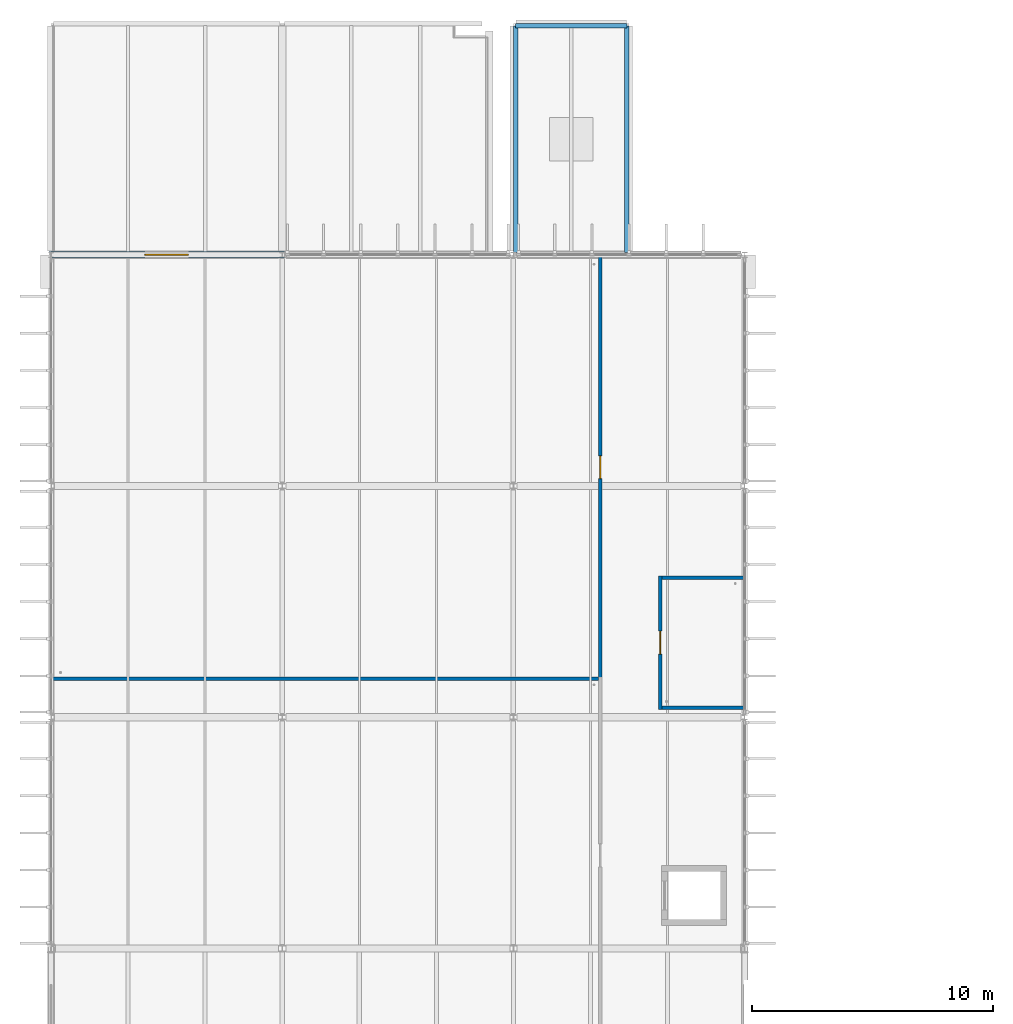
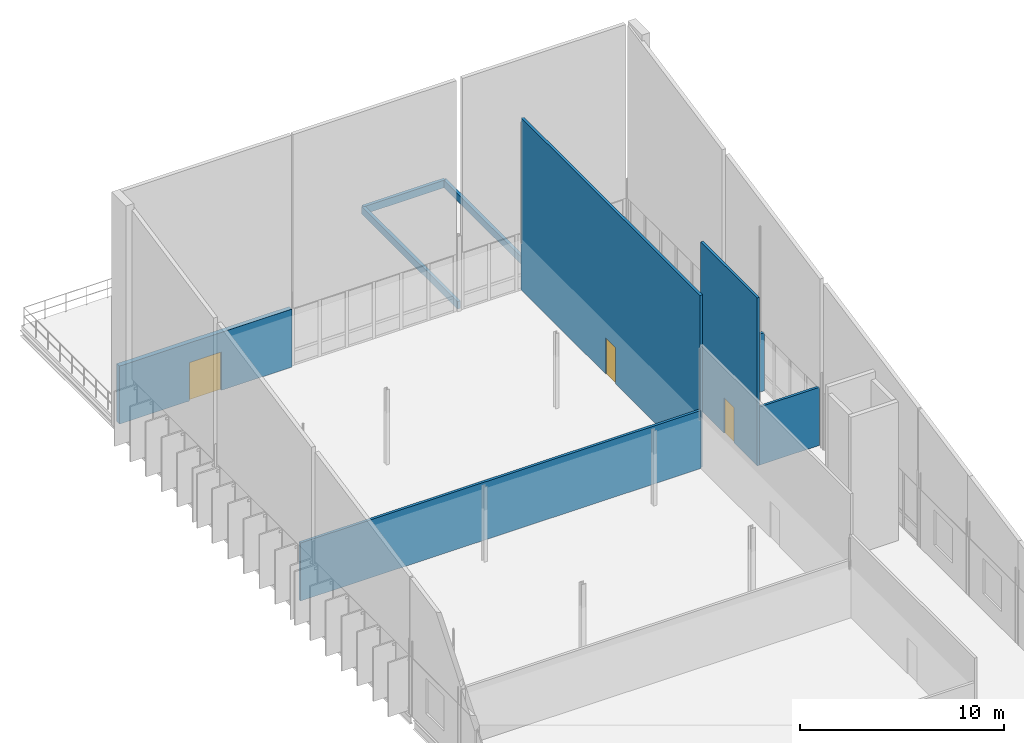
# One storey, part 55 of 93: 9 walls, 3 doors, 3 openings.
"""IFC4 building model written with IfcOpenShell, lengths in metres."""

from ifc_helpers import new_model, si_unit, direction, frame, frame_2d, origin, place, context, subcontext, project, spatial, rectangle, extrude, material, layer, layer_set, type_object, element, fill, save


model = new_model("IFC4")

# Units and contexts
model_context = context("Model", 3, precision=1e-05, world=origin(), true_north=direction((0.0, 1.0)))
body_context = subcontext(model_context, "Body", "Model", "MODEL_VIEW")
ifc_project = project(units=[si_unit("LENGTHUNIT", "METRE"), si_unit("AREAUNIT", "SQUARE_METRE"), si_unit("VOLUMEUNIT", "CUBIC_METRE"), si_unit("PLANEANGLEUNIT", "RADIAN"), si_unit("MASSUNIT", "GRAM", prefix="KILO")], contexts=[model_context])

# Site, building, storey
site_placement = place(None, origin())
site = spatial("IfcSite", under=ifc_project, at=site_placement, CompositionType="ELEMENT")
building_placement = place(site_placement, origin())
building = spatial("IfcBuilding", under=site, at=building_placement, Name="Dunescarp Central Library", CompositionType="ELEMENT")
storey_placement = place(building_placement, frame((0.0, 0.0, 14.10009765625)))
storey = spatial("IfcBuildingStorey", under=building, at=storey_placement, Name="L03", CompositionType="ELEMENT", Elevation=14.10009765625)

# Wall
ifc_material_1 = material(Name="Gypsum plasterboard acoustic partition")
ifc_layer_1 = layer(ifc_material_1, 0.14990234375)
ifc_layer_set_1 = layer_set([ifc_layer_1], Name="Gypsum plasterboard acoustic partition")
wall_type_1 = type_object("IfcWallType", Name="ARC-PT-AC150", PredefinedType="PARTITIONING", material=ifc_layer_set_1)
wall_1_placement = place(storey_placement, frame((0.0400390625, 72.0, 0.0), z_axis=(0.0, 0.0, 1.0), x_axis=(1.0, 0.0, 0.0)))
element("IfcWall", 1, at=wall_1_placement, inside=storey, type_object=wall_type_1, Name="L03 partition PT-L03-0375", PredefinedType="PARTITIONING", context=body_context, shape_type="SweptSolid", body=[
    extrude(rectangle(XDim=22.68505859375, YDim=0.14990234375, at=frame_2d((11.342529296875, 0.0))), origin(), (0.0, 0.0, 1.0), 3.474853515625),
])

# Wall, opening, door
wall_2_placement = place(storey_placement, frame((22.800048828125, 72.0, 0.0), z_axis=(0.0, 0.0, 1.0), x_axis=(0.0, 1.0, 0.0)))
wall_2 = element("IfcWall", 2, at=wall_2_placement, inside=storey, type_object=wall_type_1, Name="L03 partition PT-L03-0377", PredefinedType="PARTITIONING", context=body_context, shape_type="SweptSolid", body=[
    extrude(rectangle(XDim=17.56005859375, YDim=0.14990234375, at=frame_2d((8.780029296875, 0.0))), origin(), (0.0, 0.0, 1.0), 10.31591796875),
])
opening_1_placement = place(wall_2_placement, frame((8.304931640625, 0.0, 0.0)))
opening_1 = element("IfcOpeningElement", 3, at=opening_1_placement, cuts=wall_2, Name="Opening DR-L03-0161", PredefinedType="OPENING", context=body_context, shape_type="SweptSolid", body=[
    extrude(rectangle(XDim=0.949951171875, YDim=2.14990234375, at=frame_2d((0.47509765625, 1.074951171875))), frame((0.0, 0.0849609375, 0.0), z_axis=(0.0, -1.0, 0.0), x_axis=(1.0, 0.0, 0.0)), (0.0, 0.0, 1.0), 0.169921875),
])
ifc_material_2 = material(Name="Hardwood solid-core timber leaf", Category="wood")
door_type_1 = type_object("IfcDoorType", Name="ARC-DR-INT950", OperationType="NOTDEFINED", PredefinedType="DOOR", material=ifc_material_2)
door_1_placement = place(opening_1_placement, origin())
door_1 = element("IfcDoor", 4, at=door_1_placement, inside=storey, type_object=door_type_1, Name="L03 interior door DR-L03-0161", OperationType="SINGLE_SWING_LEFT", OverallHeight=2.14990234375, OverallWidth=0.949951171875, PredefinedType="DOOR", context=body_context, shape_type="SweptSolid", body=[
    extrude(rectangle(XDim=0.949951171875, YDim=2.14990234375, at=frame_2d((0.47509765625, 1.074951171875))), frame((0.0, 0.02490234375, 0.0), z_axis=(0.0, -1.0, 0.0), x_axis=(1.0, 0.0, 0.0)), (0.0, 0.0, 1.0), 0.050048828125),
])
fill(opening_1, door_1)

# Walls
ifc_material_3 = material(Name="Autoclaved aerated concrete block", Category="concrete")
ifc_layer_2 = layer(ifc_material_3, 0.139892578125)
ifc_layer_set_2 = layer_set([ifc_layer_2], Name="Autoclaved aerated concrete block")
wall_type_2 = type_object("IfcWallType", Name="ARC-PT-WET140", PredefinedType="PARTITIONING", material=ifc_layer_set_2)
for number, where, z_axis, x_axis, name in (
    (5, (25.3701171875, 70.800048828125, 0.0), (0.0, 0.0, 1.0), (1.0, 0.0, 0.0), "L03 partition PT-L03-0369"),
    (6, (25.3701171875, 76.199951171875, 0.0), (0.0, 0.0, 1.0), (1.0, 0.0, 0.0), "L03 partition PT-L03-0370"),
):
    element("IfcWall", number, at=place(storey_placement, frame(where, z_axis=z_axis, x_axis=x_axis)), inside=storey, type_object=wall_type_2, Name=name, PredefinedType="PARTITIONING", context=body_context, shape_type="SweptSolid", body=[
        extrude(rectangle(XDim=3.389892578125, YDim=0.139892578125, at=frame_2d((1.69482421875, 0.0))), origin(), (0.0, 0.0, 1.0), 3.48193359375),
    ])

# Wall, opening, door
wall_3_placement = place(storey_placement, frame((25.300048828125, 70.72998046875, 0.0), z_axis=(0.0, 0.0, 1.0), x_axis=(0.0, 1.0, 0.0)))
wall_3 = element("IfcWall", 7, at=wall_3_placement, inside=storey, type_object=wall_type_2, Name="L03 partition PT-L03-0371", PredefinedType="PARTITIONING", context=body_context, shape_type="SweptSolid", body=[
    extrude(rectangle(XDim=5.5400390625, YDim=0.139892578125, at=frame_2d((2.77001953125, 0.0))), origin(), (0.0, 0.0, 1.0), 10.06201171875),
])
opening_2_placement = place(wall_3_placement, frame((2.294921875, 0.0, 0.0)))
opening_2 = element("IfcOpeningElement", 8, at=opening_2_placement, cuts=wall_3, Name="Opening DR-L03-0158", PredefinedType="OPENING", context=body_context, shape_type="SweptSolid", body=[
    extrude(rectangle(XDim=0.949951171875, YDim=2.10009765625, at=frame_2d((0.47509765625, 1.050048828125))), frame((0.0, 0.080078125, 0.0), z_axis=(0.0, -1.0, 0.0), x_axis=(1.0, 0.0, 0.0)), (0.0, 0.0, 1.0), 0.159912109375),
])
door_type_2 = type_object("IfcDoorType", Name="ARC-DR-WC950", OperationType="NOTDEFINED", PredefinedType="DOOR", material=ifc_material_2)
door_2_placement = place(opening_2_placement, origin())
door_2 = element("IfcDoor", 9, at=door_2_placement, inside=storey, type_object=door_type_2, Name="L03 interior door DR-L03-0158", OperationType="SINGLE_SWING_RIGHT", OverallHeight=2.10009765625, OverallWidth=0.949951171875, PredefinedType="DOOR", context=body_context, shape_type="SweptSolid", body=[
    extrude(rectangle(XDim=0.949951171875, YDim=2.10009765625, at=frame_2d((0.47509765625, 1.050048828125))), frame((0.0, 0.02490234375, 0.0), z_axis=(0.0, -1.0, 0.0), x_axis=(1.0, 0.0, 0.0)), (0.0, 0.0, 1.0), 0.050048828125),
])
fill(opening_2, door_2)

ifc_material_4 = material(Name="Glass-fibre reinforced concrete GRC", Category="concrete")
ifc_layer_3 = layer(ifc_material_4, 0.260009765625)
ifc_layer_set_3 = layer_set([ifc_layer_3], Name="Glass-fibre reinforced concrete GRC")
wall_type_3 = type_object("IfcWallType", Name="ARC-WL-GRC260", PredefinedType="SOLIDWALL", material=ifc_layer_set_3)
wall_4_placement = place(storey_placement, frame((-0.0849609375, 89.60009765625, 0.0), z_axis=(0.0, 0.0, 1.0), x_axis=(1.0, 0.0, 0.0)))
wall_4 = element("IfcWall", 10, at=wall_4_placement, inside=storey, type_object=wall_type_3, Name="L03 external wall EW-V4-147", PredefinedType="SOLIDWALL", context=body_context, shape_type="SweptSolid", body=[
    extrude(rectangle(XDim=9.77001953125, YDim=0.260009765625, at=frame_2d((4.885009765625, 0.0))), origin(), (0.0, 0.0, 1.0), 3.474853515625),
])
opening_3_placement = place(wall_4_placement, frame((3.985107421875, 0.0, 0.0)))
opening_3 = element("IfcOpeningElement", 11, at=opening_3_placement, cuts=wall_4, Name="Opening TD-L03-V4N", PredefinedType="OPENING", context=body_context, shape_type="SweptSolid", body=[
    extrude(rectangle(XDim=1.800048828125, YDim=2.300048828125, at=frame_2d((0.89990234375, 1.14990234375))), frame((0.0, 0.14013671875, 0.0), z_axis=(0.0, -1.0, 0.0), x_axis=(1.0, 0.0, 0.0)), (0.0, 0.0, 1.0), 0.280029296875),
])
ifc_material_5 = material(Name="Marine-grade anodised aluminium 6063-T6", Category="aluminium")
door_type_3 = type_object("IfcDoorType", Name="ARC-DR-TER1800", OperationType="NOTDEFINED", PredefinedType="DOOR", material=ifc_material_5)
door_3_placement = place(opening_3_placement, origin())
door_3 = element("IfcDoor", 12, at=door_3_placement, inside=storey, type_object=door_type_3, Name="L03 external door TD-L03-V4N", OperationType="SINGLE_SWING_LEFT", OverallHeight=2.300048828125, OverallWidth=1.800048828125, PredefinedType="DOOR", context=body_context, shape_type="SweptSolid", body=[
    extrude(rectangle(XDim=1.800048828125, YDim=2.300048828125, at=frame_2d((0.89990234375, 1.14990234375))), frame((0.0, 0.02490234375, 0.0), z_axis=(0.0, -1.0, 0.0), x_axis=(1.0, 0.0, 0.0)), (0.0, 0.0, 1.0), 0.050048828125),
])
fill(opening_3, door_3)

# Walls
ifc_material_6 = material(Name="Concrete C35/45", Category="concrete")
ifc_layer_4 = layer(ifc_material_6, 0.179931640625)
ifc_layer_set_4 = layer_set([ifc_layer_4], Name="Concrete C35/45")
wall_type_4 = type_object("IfcWallType", Name="ARC-WL-PAR180", PredefinedType="PARAPET", material=ifc_layer_set_4)
wall_5_placement = place(storey_placement, frame((19.2900390625, 99.110107421875, 0.0), z_axis=(0.0, 0.0, 1.0), x_axis=(1.0, 0.0, 0.0)))
element("IfcWall", 13, at=wall_5_placement, inside=storey, type_object=wall_type_4, Name="L03 maintenance roof parapet PAR-L03-017", PredefinedType="PARAPET", context=body_context, shape_type="SweptSolid", body=[
    extrude(rectangle(XDim=4.619873046875, YDim=0.179931640625, at=frame_2d((2.31005859375, 0.0))), origin(), (0.0, 0.0, 1.0), 0.449951171875),
])
for number, where, z_axis, x_axis, name in (
    (14, (19.2900390625, 89.68994140625, 0.0), (0.0, 0.0, 1.0), (0.0, 1.0, 0.0), "L03 maintenance roof parapet PAR-L03-018"),
    (15, (23.909912109375, 99.110107421875, 0.0), (0.0, 0.0, 1.0), (0.0, -1.0, 0.0), "L03 maintenance roof parapet PAR-L03-019"),
):
    element("IfcWall", number, at=place(storey_placement, frame(where, z_axis=z_axis, x_axis=x_axis)), inside=storey, type_object=wall_type_4, Name=name, PredefinedType="PARAPET", context=body_context, shape_type="SweptSolid", body=[
        extrude(rectangle(XDim=9.420166015625, YDim=0.179931640625, at=frame_2d((4.7099609375, 0.0))), origin(), (0.0, 0.0, 1.0), 0.449951171875),
    ])

save(model, "model.ifc")
